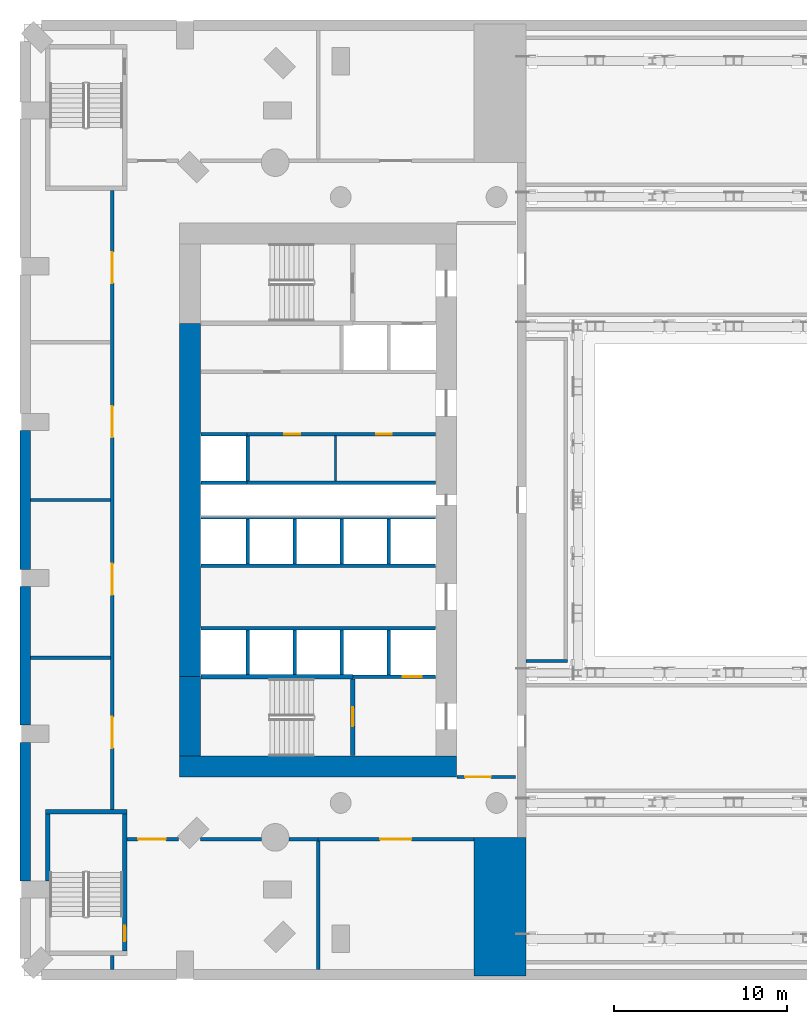
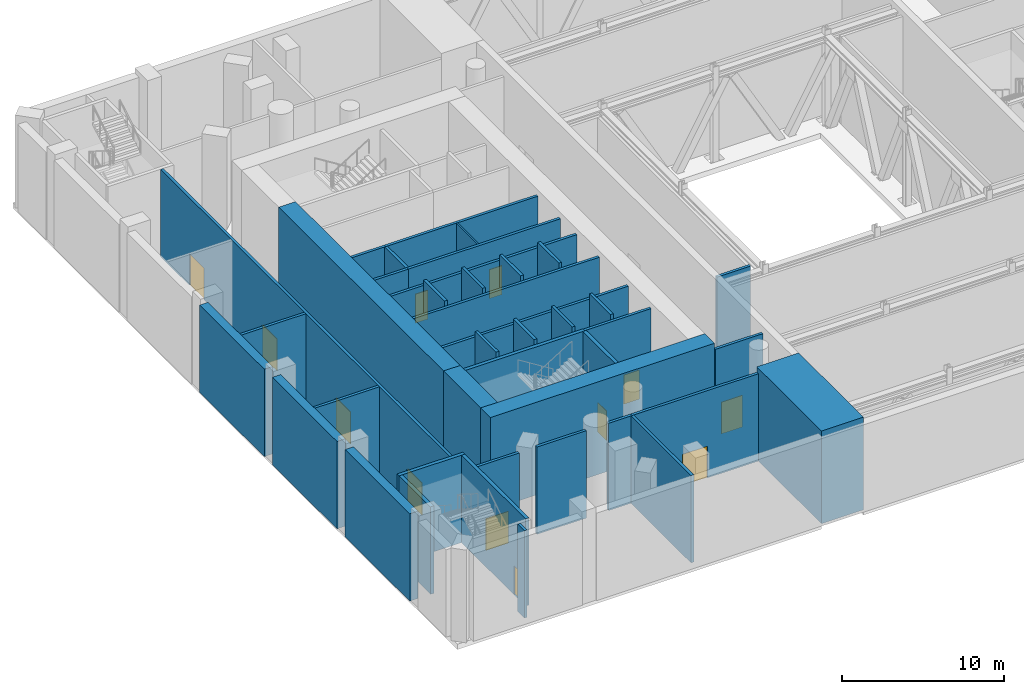
# One storey, part 4 of 21: 41 walls, 12 doors, 12 openings.
"""IFC4 building model written with IfcOpenShell, lengths in metres."""

from ifc_helpers import new_model, si_unit, direction, frame, frame_2d, origin, place, context, subcontext, project, spatial, rectangle, extrude, material, layer, layer_set, type_object, element, fill, save


model = new_model("IFC4")

# Units and contexts
model_context = context("Model", 3, precision=1e-05, world=origin(), true_north=direction((0.0, 1.0)))
body_context = subcontext(model_context, "Body", "Model", "MODEL_VIEW")
ifc_project = project(units=[si_unit("LENGTHUNIT", "METRE"), si_unit("AREAUNIT", "SQUARE_METRE"), si_unit("VOLUMEUNIT", "CUBIC_METRE"), si_unit("PLANEANGLEUNIT", "RADIAN"), si_unit("MASSUNIT", "GRAM", prefix="KILO")], contexts=[model_context])

# Site, building, storey
site_placement = place(None, origin())
site = spatial("IfcSite", under=ifc_project, at=site_placement, CompositionType="ELEMENT")
building_placement = place(site_placement, origin())
building = spatial("IfcBuilding", under=site, at=building_placement, Name="Cypress Arch Tower", CompositionType="ELEMENT")
storey_placement = place(building_placement, frame((0.0, 0.0, 29.0)))
storey = spatial("IfcBuildingStorey", under=building, at=storey_placement, Name="L03", CompositionType="ELEMENT", Elevation=29.0)

# Walls
ifc_material_1 = material(Name="Brick (red buff blend) on blockwork backing", Category="masonry")
ifc_layer_1 = layer(ifc_material_1, 0.60009765625)
ifc_layer_set_1 = layer_set([ifc_layer_1], Name="Brick base wall BW600")
wall_type_1 = type_object("IfcWallType", Name="Brick base wall BW600", PredefinedType="ELEMENTEDWALL", material=ifc_layer_set_1)
for number, where, z_axis, x_axis, name in (
    (1, (-38.925048828125, 4.0, 0.0), (0.0, 0.0, 1.0), (0.0, -1.0, 0.0), "Brick wall L03 P04.3"),
    (2, (-38.925048828125, -5.0, 0.0), (0.0, 0.0, 1.0), (0.0, -1.0, 0.0), "Brick wall L03 P04.4"),
    (3, (-38.925048828125, -14.0, 0.0), (0.0, 0.0, 1.0), (0.0, -1.0, 0.0), "Brick wall L03 P04.5"),
):
    element("IfcWall", number, at=place(storey_placement, frame(where, z_axis=z_axis, x_axis=x_axis)), inside=storey, type_object=wall_type_1, Name=name, PredefinedType="ELEMENTEDWALL", context=body_context, shape_type="SweptSolid", body=[
        extrude(rectangle(XDim=8.0, YDim=0.60009765625, at=frame_2d((4.0, 0.0))), origin(), (0.0, 0.0, 1.0), 6.60009765625),
    ])
ifc_material_2 = material(Name="Concrete C80/95", Category="concrete")
ifc_layer_2 = layer(ifc_material_2, 1.199951171875)
ifc_layer_set_2 = layer_set([ifc_layer_2], Name="Core wall CW1200 C80/95")
wall_type_2 = type_object("IfcWallType", Name="Core wall CW1200 C80/95", PredefinedType="SHEAR", material=ifc_layer_set_2)
wall_1_placement = place(storey_placement, frame((-30.0, -15.39990234375, 0.0), z_axis=(0.0, 0.0, 1.0), x_axis=(1.0, 0.0, 0.0)))
element("IfcWall", 4, at=wall_1_placement, inside=storey, type_object=wall_type_2, Name="Core wall", PredefinedType="SHEAR", context=body_context, shape_type="SweptSolid", body=[
    extrude(rectangle(XDim=16.0, YDim=1.199951171875, at=frame_2d((8.0, 0.0))), origin(), (0.0, 0.0, 1.0), 7.0),
])
wall_2_placement = place(storey_placement, frame((-29.39990234375, -10.199951171875, 0.0), z_axis=(0.0, 0.0, 1.0), x_axis=(0.0, 1.0, 0.0)))
element("IfcWall", 5, at=wall_2_placement, inside=storey, type_object=wall_type_2, Name="Core wall", PredefinedType="SHEAR", context=body_context, shape_type="SweptSolid", body=[
    extrude(rectangle(XDim=20.39990234375, YDim=1.199951171875, at=frame_2d((10.199951171875, 0.0))), origin(), (0.0, 0.0, 1.0), 7.0),
])
wall_3_placement = place(storey_placement, frame((-29.39990234375, -14.800048828125, 0.0), z_axis=(0.0, 0.0, 1.0), x_axis=(0.0, 1.0, 0.0)))
element("IfcWall", 6, at=wall_3_placement, inside=storey, type_object=wall_type_2, Name="Core wall", PredefinedType="SHEAR", context=body_context, shape_type="SweptSolid", body=[
    extrude(rectangle(XDim=4.60009765625, YDim=1.199951171875, at=frame_2d((2.300048828125, 0.0))), origin(), (0.0, 0.0, 1.0), 7.0),
])

# Wall, opening, door
ifc_material_3 = material(Name="Concrete blockwork, plastered, rated", Category="masonry")
ifc_layer_3 = layer(ifc_material_3, 0.199951171875)
ifc_layer_set_3 = layer_set([ifc_layer_3], Name="Corridor wall FW200")
wall_type_3 = type_object("IfcWallType", Name="Corridor wall FW200", PredefinedType="PARTITIONING", material=ifc_layer_set_3)
wall_4_placement = place(storey_placement, frame((-33.050048828125, -19.60009765625, 0.0), z_axis=(0.0, 0.0, 1.0), x_axis=(1.0, 0.0, 0.0)))
wall_4 = element("IfcWall", 7, at=wall_4_placement, inside=storey, type_object=wall_type_3, Name="Corridor wall", PredefinedType="PARTITIONING", context=body_context, shape_type="SweptSolid", body=[
    extrude(rectangle(XDim=2.97705078125, YDim=0.199951171875, at=frame_2d((1.488525390625, 0.0))), origin(), (0.0, 0.0, 1.0), 6.597900390625),
])
opening_1_placement = place(wall_4_placement, frame((0.64990234375, 0.0, 0.0)))
opening_1 = element("IfcOpeningElement", 8, at=opening_1_placement, cuts=wall_4, Name="Opening D10", PredefinedType="OPENING", context=body_context, shape_type="SweptSolid", body=[
    extrude(rectangle(XDim=1.60009765625, YDim=2.39990234375, at=frame_2d((0.800048828125, 1.199951171875))), frame((0.0, 0.10986328125, 0.0), z_axis=(0.0, -1.0, 0.0), x_axis=(1.0, 0.0, 0.0)), (0.0, 0.0, 1.0), 0.219970703125),
])
ifc_material_4 = material(Name="Black aluminium glazed door", Category="aluminium")
door_type_1 = type_object("IfcDoorType", Name="Amenity door D10 1600x2400", OperationType="DOUBLE_DOOR_SINGLE_SWING", PredefinedType="DOOR", material=ifc_material_4)
door_1_placement = place(opening_1_placement, origin())
door_1 = element("IfcDoor", 9, at=door_1_placement, inside=storey, type_object=door_type_1, Name="Amenity door", OperationType="DOUBLE_DOOR_SINGLE_SWING", OverallHeight=2.39990234375, OverallWidth=1.60009765625, PredefinedType="DOOR", context=body_context, shape_type="SweptSolid", body=[
    extrude(rectangle(XDim=1.60009765625, YDim=2.39990234375, at=frame_2d((0.800048828125, 1.199951171875))), frame((0.0, 0.02490234375, 0.0), z_axis=(0.0, -1.0, 0.0), x_axis=(1.0, 0.0, 0.0)), (0.0, 0.0, 1.0), 0.050048828125),
])
fill(opening_1, door_1)

# Walls
wall_5_placement = place(storey_placement, frame((-28.81298828125, -19.60009765625, 0.0), z_axis=(0.0, 0.0, 1.0), x_axis=(1.0, 0.0, 0.0)))
element("IfcWall", 10, at=wall_5_placement, inside=storey, type_object=wall_type_3, Name="Corridor wall", PredefinedType="PARTITIONING", context=body_context, shape_type="SweptSolid", body=[
    extrude(rectangle(XDim=3.526123046875, YDim=0.199951171875, at=frame_2d((1.76318359375, 0.0))), origin(), (0.0, 0.0, 1.0), 6.597900390625),
])
wall_6_placement = place(storey_placement, frame((-23.68896484375, -19.60009765625, 0.0), z_axis=(0.0, 0.0, 1.0), x_axis=(1.0, 0.0, 0.0)))
element("IfcWall", 11, at=wall_6_placement, inside=storey, type_object=wall_type_3, Name="Corridor wall", PredefinedType="PARTITIONING", context=body_context, shape_type="SweptSolid", body=[
    extrude(rectangle(XDim=1.6689453125, YDim=0.199951171875, at=frame_2d((0.83447265625, 0.0))), origin(), (0.0, 0.0, 1.0), 6.597900390625),
])

# Wall, openings, doors
wall_7_placement = place(storey_placement, frame((-26.10009765625, 3.800048828125, 0.0), z_axis=(0.0, 0.0, 1.0), x_axis=(1.0, 0.0, 0.0)))
wall_7 = element("IfcWall", 12, at=wall_7_placement, inside=storey, type_object=wall_type_3, Name="Corridor wall", PredefinedType="PARTITIONING", context=body_context, shape_type="SweptSolid", body=[
    extrude(rectangle(XDim=10.8701171875, YDim=0.199951171875, at=frame_2d((5.43505859375, 0.0))), origin(), (0.0, 0.0, 1.0), 6.597900390625),
])
opening_2_placement = place(wall_7_placement, frame((2.14990234375, 0.0, 0.0)))
opening_2 = element("IfcOpeningElement", 13, at=opening_2_placement, cuts=wall_7, Name="Opening D05", PredefinedType="OPENING", context=body_context, shape_type="SweptSolid", body=[
    extrude(rectangle(XDim=0.89990234375, YDim=2.199951171875, at=frame_2d((0.449951171875, 1.10009765625))), frame((0.0, 0.10986328125, 0.0), z_axis=(0.0, -1.0, 0.0), x_axis=(1.0, 0.0, 0.0)), (0.0, 0.0, 1.0), 0.219970703125),
])
opening_3_placement = place(wall_7_placement, frame((7.449951171875, 0.0, 0.0)))
opening_3 = element("IfcOpeningElement", 14, at=opening_3_placement, cuts=wall_7, Name="Opening D05", PredefinedType="OPENING", context=body_context, shape_type="SweptSolid", body=[
    extrude(rectangle(XDim=0.89990234375, YDim=2.199951171875, at=frame_2d((0.449951171875, 1.10009765625))), frame((0.0, 0.10986328125, 0.0), z_axis=(0.0, -1.0, 0.0), x_axis=(1.0, 0.0, 0.0)), (0.0, 0.0, 1.0), 0.219970703125),
])
ifc_material_5 = material(Name="Timber flush door", Category="wood")
door_type_2 = type_object("IfcDoorType", Name="Service door D05 900x2200", OperationType="SINGLE_SWING_LEFT", PredefinedType="DOOR", material=ifc_material_5)
door_2_placement = place(opening_2_placement, origin())
door_2 = element("IfcDoor", 15, at=door_2_placement, inside=storey, type_object=door_type_2, Name="Service door", OperationType="SINGLE_SWING_LEFT", OverallHeight=2.199951171875, OverallWidth=0.89990234375, PredefinedType="DOOR", context=body_context, shape_type="SweptSolid", body=[
    extrude(rectangle(XDim=0.89990234375, YDim=2.199951171875, at=frame_2d((0.449951171875, 1.10009765625))), frame((0.0, 0.02490234375, 0.0), z_axis=(0.0, -1.0, 0.0), x_axis=(1.0, 0.0, 0.0)), (0.0, 0.0, 1.0), 0.050048828125),
])
fill(opening_2, door_2)
door_3_placement = place(opening_3_placement, origin())
door_3 = element("IfcDoor", 16, at=door_3_placement, inside=storey, type_object=door_type_2, Name="Service door", OperationType="SINGLE_SWING_RIGHT", OverallHeight=2.199951171875, OverallWidth=0.89990234375, PredefinedType="DOOR", context=body_context, shape_type="SweptSolid", body=[
    extrude(rectangle(XDim=0.89990234375, YDim=2.199951171875, at=frame_2d((0.449951171875, 1.10009765625))), frame((0.0, 0.02490234375, 0.0), z_axis=(0.0, -1.0, 0.0), x_axis=(1.0, 0.0, 0.0)), (0.0, 0.0, 1.0), 0.050048828125),
])
fill(opening_3, door_3)

# Wall, opening, door
wall_8_placement = place(storey_placement, frame((-13.969970703125, -16.0, 0.0), z_axis=(0.0, 0.0, 1.0), x_axis=(1.0, 0.0, 0.0)))
wall_8 = element("IfcWall", 17, at=wall_8_placement, inside=storey, type_object=wall_type_3, Name="Corridor wall", PredefinedType="PARTITIONING", context=body_context, shape_type="SweptSolid", body=[
    extrude(rectangle(XDim=3.369873046875, YDim=0.199951171875, at=frame_2d((1.68505859375, 0.0))), origin(), (0.0, 0.0, 1.0), 6.597900390625),
])
opening_4_placement = place(wall_8_placement, frame((0.449951171875, 0.0, 0.0)))
opening_4 = element("IfcOpeningElement", 18, at=opening_4_placement, cuts=wall_8, Name="Opening D07", PredefinedType="OPENING", context=body_context, shape_type="SweptSolid", body=[
    extrude(rectangle(XDim=1.5, YDim=2.39990234375, at=frame_2d((0.75, 1.199951171875))), frame((0.0, 0.10986328125, 0.0), z_axis=(0.0, -1.0, 0.0), x_axis=(1.0, 0.0, 0.0)), (0.0, 0.0, 1.0), 0.219970703125),
])
ifc_material_6 = material(Name="Steel framed glazed door, fire resisting", Category="steel")
door_type_3 = type_object("IfcDoorType", Name="Lobby door D07 1500x2400", OperationType="DOUBLE_DOOR_SINGLE_SWING", PredefinedType="DOOR", material=ifc_material_6)
door_4_placement = place(opening_4_placement, origin())
door_4 = element("IfcDoor", 19, at=door_4_placement, inside=storey, type_object=door_type_3, Name="Lobby door", OperationType="DOUBLE_DOOR_SINGLE_SWING", OverallHeight=2.39990234375, OverallWidth=1.5, PredefinedType="DOOR", context=body_context, shape_type="SweptSolid", body=[
    extrude(rectangle(XDim=1.5, YDim=2.39990234375, at=frame_2d((0.75, 1.199951171875))), frame((0.0, 0.02490234375, 0.0), z_axis=(0.0, -1.0, 0.0), x_axis=(1.0, 0.0, 0.0)), (0.0, 0.0, 1.0), 0.050048828125),
])
fill(opening_4, door_4)

# Walls
wall_9_placement = place(storey_placement, frame((-10.0, -9.300048828125, 0.0), z_axis=(0.0, 0.0, 1.0), x_axis=(1.0, 0.0, 0.0)))
element("IfcWall", 20, at=wall_9_placement, inside=storey, type_object=wall_type_3, Name="Corridor wall", PredefinedType="PARTITIONING", context=body_context, shape_type="SweptSolid", body=[
    extrude(rectangle(XDim=2.39990234375, YDim=0.199951171875, at=frame_2d((1.199951171875, 0.0))), origin(), (0.0, 0.0, 1.0), 6.597900390625),
])
ifc_material_7 = material(Name="Concrete C80/95", Category="concrete")
ifc_layer_4 = layer(ifc_material_7, 3.0)
ifc_layer_set_4 = layer_set([ifc_layer_4], Name="Pier wall 3000 Concrete C80/95")
wall_type_4 = type_object("IfcWallType", Name="Pier wall 3000 Concrete C80/95", PredefinedType="SOLIDWALL", material=ifc_layer_set_4)
wall_10_placement = place(storey_placement, frame((-11.5, -27.5, 0.0), z_axis=(0.0, 0.0, 1.0), x_axis=(0.0, 1.0, 0.0)))
element("IfcWall", 21, at=wall_10_placement, inside=storey, type_object=wall_type_4, Name="Gate pier wall PW-WS L03", PredefinedType="SOLIDWALL", context=body_context, shape_type="SweptSolid", body=[
    extrude(rectangle(XDim=8.0, YDim=3.0, at=frame_2d((4.0, 0.0))), origin(), (0.0, 0.0, 1.0), 7.0),
])
ifc_material_8 = material(Name="Reinforced blockwork, plastered, rated", Category="masonry")
ifc_layer_5 = layer(ifc_material_8, 0.199951171875)
ifc_layer_set_5 = layer_set([ifc_layer_5], Name="Plant and riser wall PL200")
wall_type_5 = type_object("IfcWallType", Name="Plant and riser wall PL200", PredefinedType="PARTITIONING", material=ifc_layer_set_5)
for number, where, z_axis, x_axis, name in (
    (22, (-38.625, -9.10009765625, 0.0), (0.0, 0.0, 1.0), (1.0, 0.0, 0.0), "Plant and riser wall"),
    (23, (-38.625, 0.0, 0.0), (0.0, 0.0, 1.0), (1.0, 0.0, 0.0), "Plant and riser wall"),
):
    element("IfcWall", number, at=place(storey_placement, frame(where, z_axis=z_axis, x_axis=x_axis)), inside=storey, type_object=wall_type_5, Name=name, PredefinedType="PARTITIONING", context=body_context, shape_type="SweptSolid", body=[
        extrude(rectangle(XDim=4.625, YDim=0.199951171875, at=frame_2d((2.3125, 0.0))), origin(), (0.0, 0.0, 1.0), 6.597900390625),
    ])
wall_11_placement = place(storey_placement, frame((-33.89990234375, -27.125, 0.0), z_axis=(0.0, 0.0, 1.0), x_axis=(0.0, 1.0, 0.0)))
element("IfcWall", 24, at=wall_11_placement, inside=storey, type_object=wall_type_5, Name="Plant and riser wall", PredefinedType="PARTITIONING", context=body_context, shape_type="SweptSolid", body=[
    extrude(rectangle(XDim=0.824951171875, YDim=0.199951171875, at=frame_2d((0.41259765625, 0.0))), origin(), (0.0, 0.0, 1.0), 6.597900390625),
])

# Wall, openings, doors
wall_12_placement = place(storey_placement, frame((-33.89990234375, -17.8798828125, 0.0), z_axis=(0.0, 0.0, 1.0), x_axis=(0.0, 1.0, 0.0)))
wall_12 = element("IfcWall", 25, at=wall_12_placement, inside=storey, type_object=wall_type_5, Name="Plant and riser wall", PredefinedType="PARTITIONING", context=body_context, shape_type="SweptSolid", body=[
    extrude(rectangle(XDim=35.759765625, YDim=0.199951171875, at=frame_2d((17.8798828125, 0.0))), origin(), (0.0, 0.0, 1.0), 6.597900390625),
])
opening_5_placement = place(wall_12_placement, frame((3.550048828125, 0.0, 0.0)))
opening_5 = element("IfcOpeningElement", 26, at=opening_5_placement, cuts=wall_12, Name="Opening D09", PredefinedType="OPENING", context=body_context, shape_type="SweptSolid", body=[
    extrude(rectangle(XDim=1.800048828125, YDim=2.39990234375, at=frame_2d((0.89990234375, 1.199951171875))), frame((0.0, 0.10986328125, 0.0), z_axis=(0.0, -1.0, 0.0), x_axis=(1.0, 0.0, 0.0)), (0.0, 0.0, 1.0), 0.219970703125),
])
opening_6_placement = place(wall_12_placement, frame((12.39990234375, 0.0, 0.0)))
opening_6 = element("IfcOpeningElement", 27, at=opening_6_placement, cuts=wall_12, Name="Opening D09", PredefinedType="OPENING", context=body_context, shape_type="SweptSolid", body=[
    extrude(rectangle(XDim=1.800048828125, YDim=2.39990234375, at=frame_2d((0.89990234375, 1.199951171875))), frame((0.0, 0.10986328125, 0.0), z_axis=(0.0, -1.0, 0.0), x_axis=(1.0, 0.0, 0.0)), (0.0, 0.0, 1.0), 0.219970703125),
])
opening_7_placement = place(wall_12_placement, frame((21.5, 0.0, 0.0)))
opening_7 = element("IfcOpeningElement", 28, at=opening_7_placement, cuts=wall_12, Name="Opening D09", PredefinedType="OPENING", context=body_context, shape_type="SweptSolid", body=[
    extrude(rectangle(XDim=1.800048828125, YDim=2.39990234375, at=frame_2d((0.89990234375, 1.199951171875))), frame((0.0, 0.10986328125, 0.0), z_axis=(0.0, -1.0, 0.0), x_axis=(1.0, 0.0, 0.0)), (0.0, 0.0, 1.0), 0.219970703125),
])
opening_8_placement = place(wall_12_placement, frame((30.39990234375, 0.0, 0.0)))
opening_8 = element("IfcOpeningElement", 29, at=opening_8_placement, cuts=wall_12, Name="Opening D09", PredefinedType="OPENING", context=body_context, shape_type="SweptSolid", body=[
    extrude(rectangle(XDim=1.800048828125, YDim=2.39990234375, at=frame_2d((0.89990234375, 1.199951171875))), frame((0.0, 0.10986328125, 0.0), z_axis=(0.0, -1.0, 0.0), x_axis=(1.0, 0.0, 0.0)), (0.0, 0.0, 1.0), 0.219970703125),
])
ifc_material_9 = material(Name="Steel door, fire resisting", Category="steel")
door_type_4 = type_object("IfcDoorType", Name="Plant room door D09 1800x2400", OperationType="DOUBLE_DOOR_SINGLE_SWING", PredefinedType="DOOR", material=ifc_material_9)
door_5_placement = place(opening_5_placement, origin())
door_5 = element("IfcDoor", 30, at=door_5_placement, inside=storey, type_object=door_type_4, Name="Plant room door", OperationType="DOUBLE_DOOR_SINGLE_SWING", OverallHeight=2.39990234375, OverallWidth=1.800048828125, PredefinedType="DOOR", context=body_context, shape_type="SweptSolid", body=[
    extrude(rectangle(XDim=1.800048828125, YDim=2.39990234375, at=frame_2d((0.89990234375, 1.199951171875))), frame((0.0, 0.02490234375, 0.0), z_axis=(0.0, -1.0, 0.0), x_axis=(1.0, 0.0, 0.0)), (0.0, 0.0, 1.0), 0.050048828125),
])
fill(opening_5, door_5)
door_6_placement = place(opening_6_placement, origin())
door_6 = element("IfcDoor", 31, at=door_6_placement, inside=storey, type_object=door_type_4, Name="Plant room door", OperationType="DOUBLE_DOOR_SINGLE_SWING", OverallHeight=2.39990234375, OverallWidth=1.800048828125, PredefinedType="DOOR", context=body_context, shape_type="SweptSolid", body=[
    extrude(rectangle(XDim=1.800048828125, YDim=2.39990234375, at=frame_2d((0.89990234375, 1.199951171875))), frame((0.0, 0.02490234375, 0.0), z_axis=(0.0, -1.0, 0.0), x_axis=(1.0, 0.0, 0.0)), (0.0, 0.0, 1.0), 0.050048828125),
])
fill(opening_6, door_6)
door_7_placement = place(opening_7_placement, origin())
door_7 = element("IfcDoor", 32, at=door_7_placement, inside=storey, type_object=door_type_4, Name="Plant room door", OperationType="DOUBLE_DOOR_SINGLE_SWING", OverallHeight=2.39990234375, OverallWidth=1.800048828125, PredefinedType="DOOR", context=body_context, shape_type="SweptSolid", body=[
    extrude(rectangle(XDim=1.800048828125, YDim=2.39990234375, at=frame_2d((0.89990234375, 1.199951171875))), frame((0.0, 0.02490234375, 0.0), z_axis=(0.0, -1.0, 0.0), x_axis=(1.0, 0.0, 0.0)), (0.0, 0.0, 1.0), 0.050048828125),
])
fill(opening_7, door_7)
door_8_placement = place(opening_8_placement, origin())
door_8 = element("IfcDoor", 33, at=door_8_placement, inside=storey, type_object=door_type_4, Name="Plant room door", OperationType="DOUBLE_DOOR_SINGLE_SWING", OverallHeight=2.39990234375, OverallWidth=1.800048828125, PredefinedType="DOOR", context=body_context, shape_type="SweptSolid", body=[
    extrude(rectangle(XDim=1.800048828125, YDim=2.39990234375, at=frame_2d((0.89990234375, 1.199951171875))), frame((0.0, 0.02490234375, 0.0), z_axis=(0.0, -1.0, 0.0), x_axis=(1.0, 0.0, 0.0)), (0.0, 0.0, 1.0), 0.050048828125),
])
fill(opening_8, door_8)

# Wall
wall_13_placement = place(storey_placement, frame((-26.10009765625, 1.0, 0.0), z_axis=(0.0, 0.0, 1.0), x_axis=(1.0, 0.0, 0.0)))
element("IfcWall", 34, at=wall_13_placement, inside=storey, type_object=wall_type_5, Name="Plant and riser wall", PredefinedType="PARTITIONING", context=body_context, shape_type="SweptSolid", body=[
    extrude(rectangle(XDim=10.8701171875, YDim=0.199951171875, at=frame_2d((5.43505859375, 0.0))), origin(), (0.0, 0.0, 1.0), 6.597900390625),
])

# Wall, opening, door
wall_14_placement = place(storey_placement, frame((-22.02001953125, -19.60009765625, 0.0), z_axis=(0.0, 0.0, 1.0), x_axis=(1.0, 0.0, 0.0)))
wall_14 = element("IfcWall", 35, at=wall_14_placement, inside=storey, type_object=wall_type_5, Name="Plant and riser wall", PredefinedType="PARTITIONING", context=body_context, shape_type="SweptSolid", body=[
    extrude(rectangle(XDim=9.02001953125, YDim=0.199951171875, at=frame_2d((4.510009765625, 0.0))), origin(), (0.0, 0.0, 1.0), 6.597900390625),
])
opening_9_placement = place(wall_14_placement, frame((3.60009765625, 0.0, 0.0)))
opening_9 = element("IfcOpeningElement", 36, at=opening_9_placement, cuts=wall_14, Name="Opening D09", PredefinedType="OPENING", context=body_context, shape_type="SweptSolid", body=[
    extrude(rectangle(XDim=1.800048828125, YDim=2.39990234375, at=frame_2d((0.89990234375, 1.199951171875))), frame((0.0, 0.10986328125, 0.0), z_axis=(0.0, -1.0, 0.0), x_axis=(1.0, 0.0, 0.0)), (0.0, 0.0, 1.0), 0.219970703125),
])
door_9_placement = place(opening_9_placement, origin())
door_9 = element("IfcDoor", 37, at=door_9_placement, inside=storey, type_object=door_type_4, Name="Plant room door", OperationType="DOUBLE_DOOR_SINGLE_SWING", OverallHeight=2.39990234375, OverallWidth=1.800048828125, PredefinedType="DOOR", context=body_context, shape_type="SweptSolid", body=[
    extrude(rectangle(XDim=1.800048828125, YDim=2.39990234375, at=frame_2d((0.89990234375, 1.199951171875))), frame((0.0, 0.02490234375, 0.0), z_axis=(0.0, -1.0, 0.0), x_axis=(1.0, 0.0, 0.0)), (0.0, 0.0, 1.0), 0.050048828125),
])
fill(opening_9, door_9)

# Walls
wall_15_placement = place(storey_placement, frame((-22.0, -27.125, 0.0), z_axis=(0.0, 0.0, 1.0), x_axis=(0.0, 1.0, 0.0)))
element("IfcWall", 38, at=wall_15_placement, inside=storey, type_object=wall_type_5, Name="Plant and riser wall", PredefinedType="PARTITIONING", context=body_context, shape_type="SweptSolid", body=[
    extrude(rectangle(XDim=7.425048828125, YDim=0.199951171875, at=frame_2d((3.71240234375, 0.0))), origin(), (0.0, 0.0, 1.0), 6.597900390625),
])
ifc_material_10 = material(Name="Concrete C50/60", Category="concrete")
ifc_layer_6 = layer(ifc_material_10, 0.199951171875)
ifc_layer_set_6 = layer_set([ifc_layer_6], Name="Shaft wall SH200")
wall_type_6 = type_object("IfcWallType", Name="Shaft wall SH200", PredefinedType="SHEAR", material=ifc_layer_set_6)
for number, where, z_axis, x_axis, name in (
    (39, (-28.77001953125, -7.39990234375, 0.0), (0.0, 0.0, 1.0), (1.0, 0.0, 0.0), "Shaft wall"),
    (40, (-28.77001953125, -3.800048828125, 0.0), (0.0, 0.0, 1.0), (1.0, 0.0, 0.0), "Shaft wall"),
    (41, (-28.77001953125, -1.0, 0.0), (0.0, 0.0, 1.0), (1.0, 0.0, 0.0), "Shaft wall"),
):
    element("IfcWall", number, at=place(storey_placement, frame(where, z_axis=z_axis, x_axis=x_axis)), inside=storey, type_object=wall_type_6, Name=name, PredefinedType="SHEAR", context=body_context, shape_type="SweptSolid", body=[
        extrude(rectangle(XDim=13.5400390625, YDim=0.199951171875, at=frame_2d((6.77001953125, 0.0))), origin(), (0.0, 0.0, 1.0), 6.597900390625),
    ])
for number, where, z_axis, x_axis, name in (
    (42, (-28.77001953125, 1.0, 0.0), (0.0, 0.0, 1.0), (1.0, 0.0, 0.0), "Shaft wall"),
    (43, (-28.77001953125, 3.800048828125, 0.0), (0.0, 0.0, 1.0), (1.0, 0.0, 0.0), "Shaft wall"),
):
    element("IfcWall", number, at=place(storey_placement, frame(where, z_axis=z_axis, x_axis=x_axis)), inside=storey, type_object=wall_type_6, Name=name, PredefinedType="SHEAR", context=body_context, shape_type="SweptSolid", body=[
        extrude(rectangle(XDim=2.669921875, YDim=0.199951171875, at=frame_2d((1.3349609375, 0.0))), origin(), (0.0, 0.0, 1.0), 6.597900390625),
    ])
wall_16_placement = place(storey_placement, frame((-26.080078125, -10.074951171875, 0.0), z_axis=(0.0, 0.0, 1.0), x_axis=(0.0, 1.0, 0.0)))
element("IfcWall", 44, at=wall_16_placement, inside=storey, type_object=wall_type_6, Name="Shaft wall", PredefinedType="SHEAR", context=body_context, shape_type="SweptSolid", body=[
    extrude(rectangle(XDim=2.574951171875, YDim=0.199951171875, at=frame_2d((1.28759765625, 0.0))), origin(), (0.0, 0.0, 1.0), 7.0),
])
wall_17_placement = place(storey_placement, frame((-26.080078125, -3.699951171875, 0.0), z_axis=(0.0, 0.0, 1.0), x_axis=(0.0, 1.0, 0.0)))
element("IfcWall", 45, at=wall_17_placement, inside=storey, type_object=wall_type_6, Name="Shaft wall", PredefinedType="SHEAR", context=body_context, shape_type="SweptSolid", body=[
    extrude(rectangle(XDim=2.599853515625, YDim=0.199951171875, at=frame_2d((1.2998046875, 0.0))), origin(), (0.0, 0.0, 1.0), 7.0),
])
wall_18_placement = place(storey_placement, frame((-26.080078125, 1.10009765625, 0.0), z_axis=(0.0, 0.0, 1.0), x_axis=(0.0, 1.0, 0.0)))
element("IfcWall", 46, at=wall_18_placement, inside=storey, type_object=wall_type_6, Name="Shaft wall", PredefinedType="SHEAR", context=body_context, shape_type="SweptSolid", body=[
    extrude(rectangle(XDim=2.599853515625, YDim=0.199951171875, at=frame_2d((1.2998046875, 0.0))), origin(), (0.0, 0.0, 1.0), 6.597900390625),
])
wall_19_placement = place(storey_placement, frame((-23.360107421875, -10.074951171875, 0.0), z_axis=(0.0, 0.0, 1.0), x_axis=(0.0, 1.0, 0.0)))
element("IfcWall", 47, at=wall_19_placement, inside=storey, type_object=wall_type_6, Name="Shaft wall", PredefinedType="SHEAR", context=body_context, shape_type="SweptSolid", body=[
    extrude(rectangle(XDim=2.574951171875, YDim=0.199951171875, at=frame_2d((1.28759765625, 0.0))), origin(), (0.0, 0.0, 1.0), 7.0),
])
wall_20_placement = place(storey_placement, frame((-23.360107421875, -3.699951171875, 0.0), z_axis=(0.0, 0.0, 1.0), x_axis=(0.0, 1.0, 0.0)))
element("IfcWall", 48, at=wall_20_placement, inside=storey, type_object=wall_type_6, Name="Shaft wall", PredefinedType="SHEAR", context=body_context, shape_type="SweptSolid", body=[
    extrude(rectangle(XDim=2.599853515625, YDim=0.199951171875, at=frame_2d((1.2998046875, 0.0))), origin(), (0.0, 0.0, 1.0), 7.0),
])
wall_21_placement = place(storey_placement, frame((-20.639892578125, -10.074951171875, 0.0), z_axis=(0.0, 0.0, 1.0), x_axis=(0.0, 1.0, 0.0)))
element("IfcWall", 49, at=wall_21_placement, inside=storey, type_object=wall_type_6, Name="Shaft wall", PredefinedType="SHEAR", context=body_context, shape_type="SweptSolid", body=[
    extrude(rectangle(XDim=2.574951171875, YDim=0.199951171875, at=frame_2d((1.28759765625, 0.0))), origin(), (0.0, 0.0, 1.0), 7.0),
])
wall_22_placement = place(storey_placement, frame((-20.639892578125, -3.699951171875, 0.0), z_axis=(0.0, 0.0, 1.0), x_axis=(0.0, 1.0, 0.0)))
element("IfcWall", 50, at=wall_22_placement, inside=storey, type_object=wall_type_6, Name="Shaft wall", PredefinedType="SHEAR", context=body_context, shape_type="SweptSolid", body=[
    extrude(rectangle(XDim=2.599853515625, YDim=0.199951171875, at=frame_2d((1.2998046875, 0.0))), origin(), (0.0, 0.0, 1.0), 7.0),
])

# Wall, opening, door
wall_23_placement = place(storey_placement, frame((-19.97998046875, -10.199951171875, 0.0), z_axis=(0.0, 0.0, 1.0), x_axis=(1.0, 0.0, 0.0)))
wall_23 = element("IfcWall", 51, at=wall_23_placement, inside=storey, type_object=wall_type_6, Name="Shaft wall", PredefinedType="SHEAR", context=body_context, shape_type="SweptSolid", body=[
    extrude(rectangle(XDim=4.75, YDim=0.199951171875, at=frame_2d((2.375, 0.0))), origin(), (0.0, 0.0, 1.0), 6.597900390625),
])
opening_10_placement = place(wall_23_placement, frame((2.85009765625, 0.0, 0.0)))
opening_10 = element("IfcOpeningElement", 52, at=opening_10_placement, cuts=wall_23, Name="Opening LD-FL1", PredefinedType="OPENING", context=body_context, shape_type="SweptSolid", body=[
    extrude(rectangle(XDim=1.10009765625, YDim=2.199951171875, at=frame_2d((0.550048828125, 1.10009765625))), frame((0.0, 0.10986328125, 0.0), z_axis=(0.0, -1.0, 0.0), x_axis=(1.0, 0.0, 0.0)), (0.0, 0.0, 1.0), 0.219970703125),
])
ifc_material_11 = material(Name="Stainless steel centre-opening landing door, rated", Category="steel")
door_type_5 = type_object("IfcDoorType", Name="Lift landing door LD 1100x2200", OperationType="DOUBLE_DOOR_SLIDING", PredefinedType="DOOR", material=ifc_material_11)
door_10_placement = place(opening_10_placement, origin())
door_10 = element("IfcDoor", 53, at=door_10_placement, inside=storey, type_object=door_type_5, Name="Lift landing doors FL1", OperationType="DOUBLE_DOOR_SLIDING", OverallHeight=2.199951171875, OverallWidth=1.10009765625, PredefinedType="DOOR", context=body_context, shape_type="SweptSolid", body=[
    extrude(rectangle(XDim=1.10009765625, YDim=2.199951171875, at=frame_2d((0.550048828125, 1.10009765625))), frame((0.0, 0.02490234375, 0.0), z_axis=(0.0, -1.0, 0.0), x_axis=(1.0, 0.0, 0.0)), (0.0, 0.0, 1.0), 0.050048828125),
])
fill(opening_10, door_10)

# Walls
wall_24_placement = place(storey_placement, frame((-17.919921875, -10.10009765625, 0.0), z_axis=(0.0, 0.0, 1.0), x_axis=(0.0, 1.0, 0.0)))
element("IfcWall", 54, at=wall_24_placement, inside=storey, type_object=wall_type_6, Name="Shaft wall", PredefinedType="SHEAR", context=body_context, shape_type="SweptSolid", body=[
    extrude(rectangle(XDim=2.60009765625, YDim=0.199951171875, at=frame_2d((1.300048828125, 0.0))), origin(), (0.0, 0.0, 1.0), 7.0),
])
wall_25_placement = place(storey_placement, frame((-17.919921875, -3.699951171875, 0.0), z_axis=(0.0, 0.0, 1.0), x_axis=(0.0, 1.0, 0.0)))
element("IfcWall", 55, at=wall_25_placement, inside=storey, type_object=wall_type_6, Name="Shaft wall", PredefinedType="SHEAR", context=body_context, shape_type="SweptSolid", body=[
    extrude(rectangle(XDim=2.599853515625, YDim=0.199951171875, at=frame_2d((1.2998046875, 0.0))), origin(), (0.0, 0.0, 1.0), 7.0),
])
ifc_material_12 = material(Name="Concrete C50/60", Category="concrete")
ifc_layer_7 = layer(ifc_material_12, 0.25)
ifc_layer_set_7 = layer_set([ifc_layer_7], Name="Stair enclosure wall SW250")
wall_type_7 = type_object("IfcWallType", Name="Stair enclosure wall SW250", PredefinedType="SHEAR", material=ifc_layer_set_7)
wall_26_placement = place(storey_placement, frame((-37.625, -22.0, 0.0), z_axis=(0.0, 0.0, 1.0), x_axis=(0.0, 1.0, 0.0)))
element("IfcWall", 56, at=wall_26_placement, inside=storey, type_object=wall_type_7, Name="Stair enclosure wall", PredefinedType="SHEAR", context=body_context, shape_type="SweptSolid", body=[
    extrude(rectangle(XDim=3.8701171875, YDim=0.25, at=frame_2d((1.93505859375, 0.0))), origin(), (0.0, 0.0, 1.0), 6.60009765625),
])
wall_27_placement = place(storey_placement, frame((-37.75, -18.0048828125, 0.0), z_axis=(0.0, 0.0, 1.0), x_axis=(1.0, 0.0, 0.0)))
element("IfcWall", 57, at=wall_27_placement, inside=storey, type_object=wall_type_7, Name="Stair enclosure wall", PredefinedType="SHEAR", context=body_context, shape_type="SweptSolid", body=[
    extrude(rectangle(XDim=4.699951171875, YDim=0.25, at=frame_2d((2.35009765625, 0.0))), origin(), (0.0, 0.0, 1.0), 6.60009765625),
])

# Wall, opening, door
wall_28_placement = place(storey_placement, frame((-33.175048828125, -26.050048828125, 0.0), z_axis=(0.0, 0.0, 1.0), x_axis=(0.0, 1.0, 0.0)))
wall_28 = element("IfcWall", 58, at=wall_28_placement, inside=storey, type_object=wall_type_7, Name="Stair enclosure wall", PredefinedType="SHEAR", context=body_context, shape_type="SweptSolid", body=[
    extrude(rectangle(XDim=7.920166015625, YDim=0.25, at=frame_2d((3.9599609375, 0.0))), origin(), (0.0, 0.0, 1.0), 6.60009765625),
])
opening_11_placement = place(wall_28_placement, frame((0.550048828125, 0.0, 0.0)))
opening_11 = element("IfcOpeningElement", 59, at=opening_11_placement, cuts=wall_28, Name="Opening D15", PredefinedType="OPENING", context=body_context, shape_type="SweptSolid", body=[
    extrude(rectangle(XDim=0.89990234375, YDim=2.199951171875, at=frame_2d((0.449951171875, 1.10009765625))), frame((0.0, 0.135009765625, 0.0), z_axis=(0.0, -1.0, 0.0), x_axis=(1.0, 0.0, 0.0)), (0.0, 0.0, 1.0), 0.27001953125),
])
ifc_material_13 = material(Name="Steel door, fire resisting, panic bar", Category="steel")
door_type_6 = type_object("IfcDoorType", Name="Stair door D15 900x2200", OperationType="SINGLE_SWING_LEFT", PredefinedType="DOOR", material=ifc_material_13)
door_11_placement = place(opening_11_placement, origin())
door_11 = element("IfcDoor", 60, at=door_11_placement, inside=storey, type_object=door_type_6, Name="Stair door", OperationType="SINGLE_SWING_LEFT", OverallHeight=2.199951171875, OverallWidth=0.89990234375, PredefinedType="DOOR", context=body_context, shape_type="SweptSolid", body=[
    extrude(rectangle(XDim=0.89990234375, YDim=2.199951171875, at=frame_2d((0.449951171875, 1.10009765625))), frame((0.0, 0.02490234375, 0.0), z_axis=(0.0, -1.0, 0.0), x_axis=(1.0, 0.0, 0.0)), (0.0, 0.0, 1.0), 0.050048828125),
])
fill(opening_11, door_11)

# Wall
wall_29_placement = place(storey_placement, frame((-28.77001953125, -10.199951171875, 0.0), z_axis=(0.0, 0.0, 1.0), x_axis=(1.0, 0.0, 0.0)))
element("IfcWall", 61, at=wall_29_placement, inside=storey, type_object=wall_type_7, Name="Stair enclosure wall", PredefinedType="SHEAR", context=body_context, shape_type="SweptSolid", body=[
    extrude(rectangle(XDim=8.7900390625, YDim=0.25, at=frame_2d((4.39501953125, 0.0))), origin(), (0.0, 0.0, 1.0), 6.597900390625),
])

# Wall, opening, door
wall_30_placement = place(storey_placement, frame((-20.0, -14.77001953125, 0.0), z_axis=(0.0, 0.0, 1.0), x_axis=(0.0, 1.0, 0.0)))
wall_30 = element("IfcWall", 62, at=wall_30_placement, inside=storey, type_object=wall_type_7, Name="Stair enclosure wall", PredefinedType="SHEAR", context=body_context, shape_type="SweptSolid", body=[
    extrude(rectangle(XDim=4.445068359375, YDim=0.25, at=frame_2d((2.22265625, 0.0))), origin(), (0.0, 0.0, 1.0), 6.597900390625),
])
opening_12_placement = place(wall_30_placement, frame((1.699951171875, 0.0, 0.0)))
opening_12 = element("IfcOpeningElement", 63, at=opening_12_placement, cuts=wall_30, Name="Opening D06", PredefinedType="OPENING", context=body_context, shape_type="SweptSolid", body=[
    extrude(rectangle(XDim=1.10009765625, YDim=2.199951171875, at=frame_2d((0.550048828125, 1.10009765625))), frame((0.0, 0.135009765625, 0.0), z_axis=(0.0, -1.0, 0.0), x_axis=(1.0, 0.0, 0.0)), (0.0, 0.0, 1.0), 0.27001953125),
])
ifc_material_14 = material(Name="Steel door, fire resisting, panic bar", Category="steel")
door_type_7 = type_object("IfcDoorType", Name="Stair door D06 1100x2200", OperationType="SINGLE_SWING_LEFT", PredefinedType="DOOR", material=ifc_material_14)
door_12_placement = place(opening_12_placement, origin())
door_12 = element("IfcDoor", 64, at=door_12_placement, inside=storey, type_object=door_type_7, Name="Stair door", OperationType="SINGLE_SWING_RIGHT", OverallHeight=2.199951171875, OverallWidth=1.10009765625, PredefinedType="DOOR", context=body_context, shape_type="SweptSolid", body=[
    extrude(rectangle(XDim=1.10009765625, YDim=2.199951171875, at=frame_2d((0.550048828125, 1.10009765625))), frame((0.0, 0.02490234375, 0.0), z_axis=(0.0, -1.0, 0.0), x_axis=(1.0, 0.0, 0.0)), (0.0, 0.0, 1.0), 0.050048828125),
])
fill(opening_12, door_12)

# Wall
ifc_material_15 = material(Name="Moisture resistant board on steel studs, tiled", Category="steel")
ifc_layer_8 = layer(ifc_material_15, 0.10009765625)
ifc_layer_set_8 = layer_set([ifc_layer_8], Name="Wet wall PW100")
wall_type_8 = type_object("IfcWallType", Name="Wet wall PW100", PredefinedType="PARTITIONING", material=ifc_layer_set_8)
wall_31_placement = place(storey_placement, frame((-21.0, 1.10009765625, 0.0), z_axis=(0.0, 0.0, 1.0), x_axis=(0.0, 1.0, 0.0)))
element("IfcWall", 65, at=wall_31_placement, inside=storey, type_object=wall_type_8, Name="Wet wall", PredefinedType="PARTITIONING", context=body_context, shape_type="SweptSolid", body=[
    extrude(rectangle(XDim=2.599853515625, YDim=0.10009765625, at=frame_2d((1.2998046875, 0.0))), origin(), (0.0, 0.0, 1.0), 6.597900390625),
])

save(model, "model.ifc")
